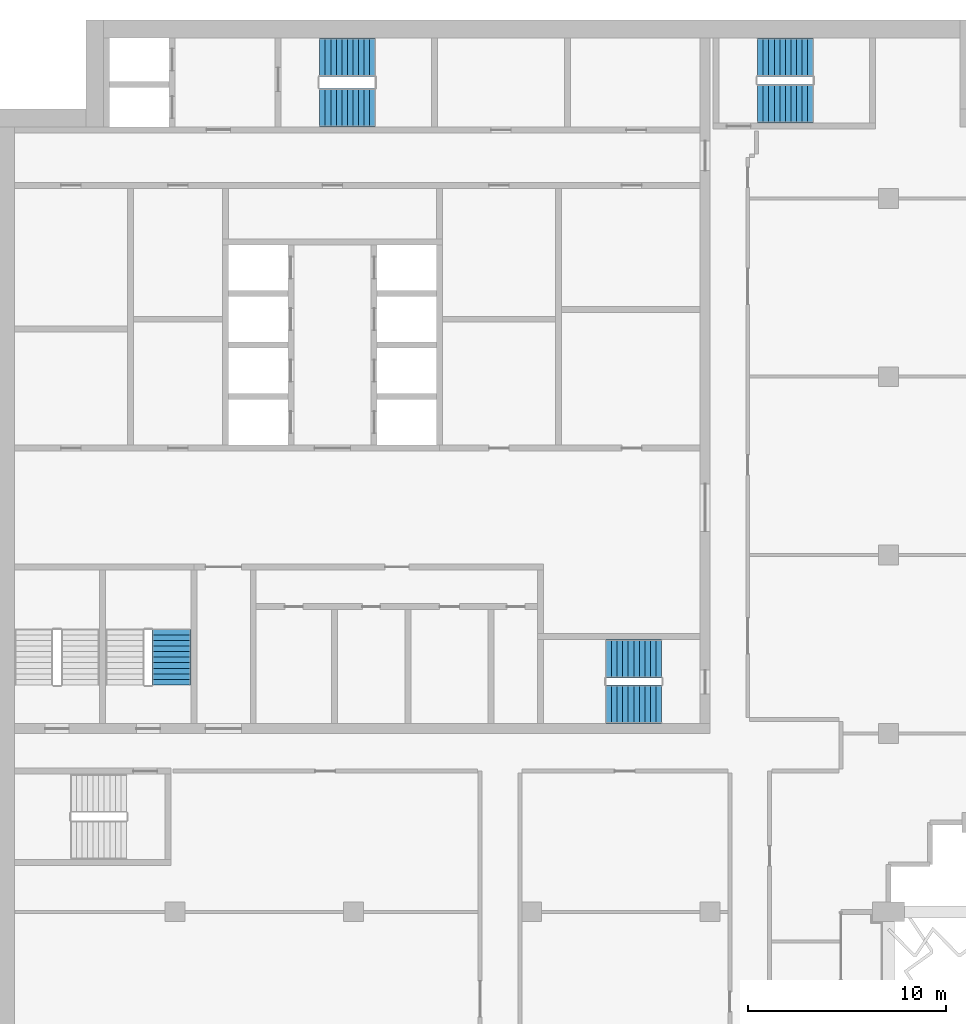
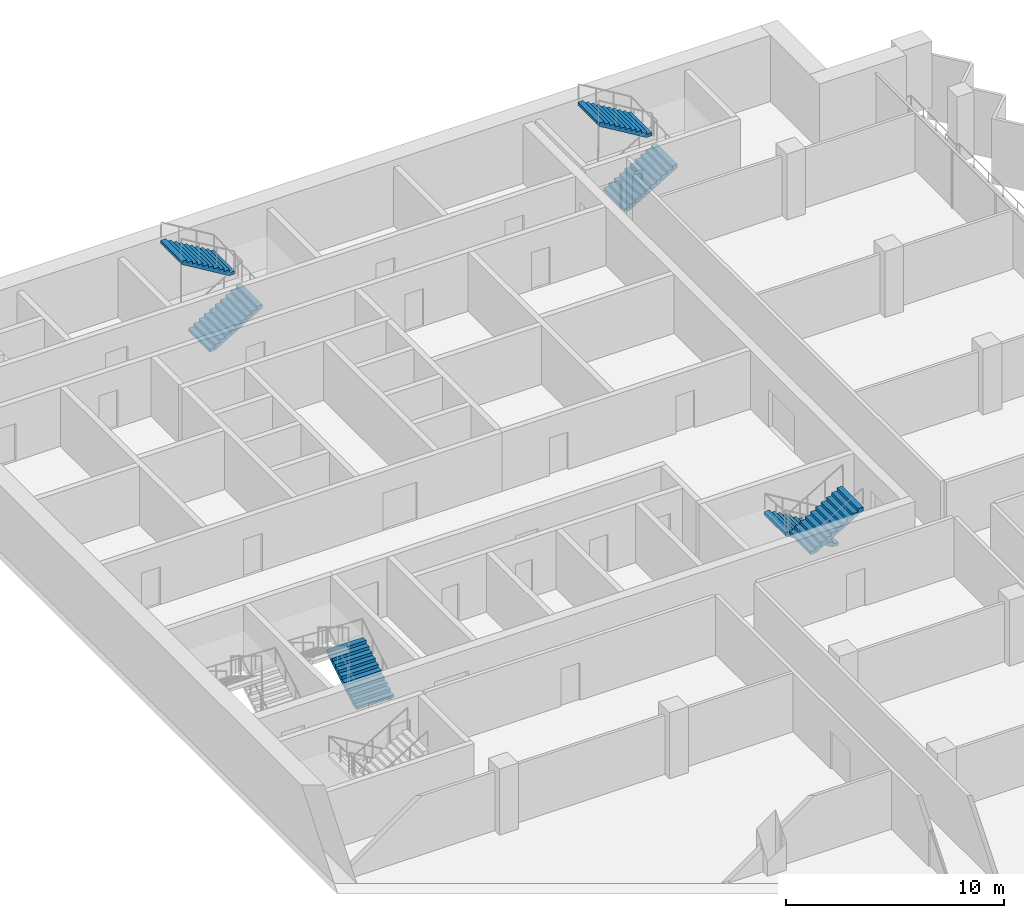
# One storey, part 12 of 16: 7 stair flights, 4 elements without a shape of their own.
"""IFC4 building model written with IfcOpenShell, lengths in metres."""

from ifc_helpers import new_model, si_unit, direction, frame, origin, place, context, subcontext, project, spatial, polyline, outline, extrude, material, type_object, element, aggregate, save


model = new_model("IFC4")

# Units and contexts
model_context = context("Model", 3, precision=1e-05, world=origin(), true_north=direction((0.0, 1.0)))
body_context = subcontext(model_context, "Body", "Model", "MODEL_VIEW")
ifc_project = project(units=[si_unit("LENGTHUNIT", "METRE"), si_unit("AREAUNIT", "SQUARE_METRE"), si_unit("VOLUMEUNIT", "CUBIC_METRE"), si_unit("PLANEANGLEUNIT", "RADIAN"), si_unit("MASSUNIT", "GRAM", prefix="KILO")], contexts=[model_context])

# Site, building, storey
site_placement = place(None, origin())
site = spatial("IfcSite", under=ifc_project, at=site_placement, CompositionType="ELEMENT")
building_placement = place(site_placement, origin())
building = spatial("IfcBuilding", under=site, at=building_placement, Name="Hunhe Ridgeline Campus", CompositionType="ELEMENT")
storey_placement = place(building_placement, frame((0.0, 0.0, 235.5)))
storey = spatial("IfcBuildingStorey", under=building, at=storey_placement, Name="L60", CompositionType="ELEMENT", Elevation=235.5)

# Stair, stair flights
ifc_material = material(Name="Concrete C40", Category="concrete")
stair_type = type_object("IfcStairType", Name="Reinforced concrete dog-leg stair 1950 Concrete C40", PredefinedType="HALF_TURN_STAIR", material=ifc_material)
stair_1_placement = place(storey_placement, origin())
stair_1 = element("IfcStair", 1, at=stair_1_placement, inside=storey, type_object=stair_type, Name="L60 S1", PredefinedType="HALF_TURN_STAIR")
stair_flight_type = type_object("IfcStairFlightType", Name="Reinforced concrete stair flight 1950 Concrete C40", PredefinedType="STRAIGHT", material=ifc_material)
stair_flight_1_placement = place(storey_placement, frame((16.300048828125, 94.574951171875, 0.0), z_axis=(0.0, 0.0, 1.0), x_axis=(1.0, 0.0, 0.0)))
stair_flight_1 = element("IfcStairFlight", 2, at=stair_flight_1_placement, type_object=stair_flight_type, Name="ST1 flight 1", NumberOfRisers=11, NumberOfTreads=10, PredefinedType="STRAIGHT", RiserHeight=0.168181818, TreadLength=0.28, context=body_context, shape_type="SweptSolid", body=[
    extrude(outline(polyline([(0.0, 0.0), (0.0, 0.168212890625), (0.280029296875, 0.168212890625), (0.280029296875, 0.33642578125), (0.56005859375, 0.33642578125), (0.56005859375, 0.504638671875), (0.840087890625, 0.504638671875), (0.840087890625, 0.672607421875), (1.1201171875, 0.672607421875), (1.1201171875, 0.8408203125), (1.39990234375, 0.8408203125), (1.39990234375, 1.009033203125), (1.679931640625, 1.009033203125), (1.679931640625, 1.17724609375), (1.9599609375, 1.17724609375), (1.9599609375, 1.345458984375), (2.239990234375, 1.345458984375), (2.239990234375, 1.513671875), (2.52001953125, 1.513671875), (2.52001953125, 1.681884765625), (2.800048828125, 1.681884765625), (2.800048828125, 1.85009765625), (2.800048828125, 1.5068359375), (0.291015625, 0.0), (0.0, 0.0)])), frame((0.0, 0.97509765625, 0.0), z_axis=(0.0, -1.0, 0.0), x_axis=(1.0, 0.0, 0.0)), (0.0, 0.0, 1.0), 1.949951171875),
    extrude(outline(polyline([(0.030029296875, 0.030029296875), (0.030029296875, 0.13818359375), (0.31005859375, 0.13818359375), (0.31005859375, 0.306396484375), (0.590087890625, 0.306396484375), (0.590087890625, 0.474609375), (0.8701171875, 0.474609375), (0.8701171875, 0.642578125), (1.14990234375, 0.642578125), (1.14990234375, 0.810791015625), (1.429931640625, 0.810791015625), (1.429931640625, 0.97900390625), (1.7099609375, 0.97900390625), (1.7099609375, 1.147216796875), (1.989990234375, 1.147216796875), (1.989990234375, 1.3154296875), (2.27001953125, 1.3154296875), (2.27001953125, 1.483642578125), (2.550048828125, 1.483642578125), (2.550048828125, 1.65185546875), (2.77001953125, 1.65185546875), (2.77001953125, 1.52392578125), (0.28271484375, 0.030029296875), (0.030029296875, 0.030029296875)])), frame((0.0, -0.070068359375, 0.0), z_axis=(0.0, -1.0, 0.0), x_axis=(1.0, 0.0, 0.0)), (0.0, 0.0, 1.0), 0.019775390625),
    extrude(outline(polyline([(0.030029296875, 0.030029296875), (0.030029296875, 0.13818359375), (0.31005859375, 0.13818359375), (0.31005859375, 0.306396484375), (0.590087890625, 0.306396484375), (0.590087890625, 0.474609375), (0.8701171875, 0.474609375), (0.8701171875, 0.642578125), (1.14990234375, 0.642578125), (1.14990234375, 0.810791015625), (1.429931640625, 0.810791015625), (1.429931640625, 0.97900390625), (1.7099609375, 0.97900390625), (1.7099609375, 1.147216796875), (1.989990234375, 1.147216796875), (1.989990234375, 1.3154296875), (2.27001953125, 1.3154296875), (2.27001953125, 1.483642578125), (2.550048828125, 1.483642578125), (2.550048828125, 1.65185546875), (2.77001953125, 1.65185546875), (2.77001953125, 1.52392578125), (0.28271484375, 0.030029296875), (0.030029296875, 0.030029296875)])), frame((0.0, 0.010009765625, 0.0), z_axis=(0.0, -1.0, 0.0), x_axis=(1.0, 0.0, 0.0)), (0.0, 0.0, 1.0), 0.019775390625),
    extrude(outline(polyline([(0.030029296875, 0.030029296875), (0.030029296875, 0.13818359375), (0.31005859375, 0.13818359375), (0.31005859375, 0.306396484375), (0.590087890625, 0.306396484375), (0.590087890625, 0.474609375), (0.8701171875, 0.474609375), (0.8701171875, 0.642578125), (1.14990234375, 0.642578125), (1.14990234375, 0.810791015625), (1.429931640625, 0.810791015625), (1.429931640625, 0.97900390625), (1.7099609375, 0.97900390625), (1.7099609375, 1.147216796875), (1.989990234375, 1.147216796875), (1.989990234375, 1.3154296875), (2.27001953125, 1.3154296875), (2.27001953125, 1.483642578125), (2.550048828125, 1.483642578125), (2.550048828125, 1.65185546875), (2.77001953125, 1.65185546875), (2.77001953125, 1.52392578125), (0.28271484375, 0.030029296875), (0.030029296875, 0.030029296875)])), frame((0.0, 0.090087890625, 0.0), z_axis=(0.0, -1.0, 0.0), x_axis=(1.0, 0.0, 0.0)), (0.0, 0.0, 1.0), 0.019775390625),
])
stair_flight_2_placement = place(storey_placement, frame((19.10009765625, 97.125, 1.85009765625), z_axis=(0.0, 0.0, 1.0), x_axis=(-1.0, 0.0, 0.0)))
stair_flight_2 = element("IfcStairFlight", 3, at=stair_flight_2_placement, type_object=stair_flight_type, Name="ST1 flight 2", NumberOfRisers=11, NumberOfTreads=10, PredefinedType="STRAIGHT", RiserHeight=0.168181818, TreadLength=0.28, context=body_context, shape_type="SweptSolid", body=[
    extrude(outline(polyline([(0.0, 0.0), (0.0, 0.168212890625), (0.280029296875, 0.168212890625), (0.280029296875, 0.33642578125), (0.56005859375, 0.33642578125), (0.56005859375, 0.504638671875), (0.840087890625, 0.504638671875), (0.840087890625, 0.672607421875), (1.1201171875, 0.672607421875), (1.1201171875, 0.8408203125), (1.39990234375, 0.8408203125), (1.39990234375, 1.009033203125), (1.679931640625, 1.009033203125), (1.679931640625, 1.17724609375), (1.9599609375, 1.17724609375), (1.9599609375, 1.345458984375), (2.239990234375, 1.345458984375), (2.239990234375, 1.513671875), (2.52001953125, 1.513671875), (2.52001953125, 1.681884765625), (2.800048828125, 1.681884765625), (2.800048828125, 1.85009765625), (2.800048828125, 1.5068359375), (0.291015625, 0.0), (0.0, 0.0)])), frame((0.0, 0.97509765625, 0.0), z_axis=(0.0, -1.0, 0.0), x_axis=(1.0, 0.0, 0.0)), (0.0, 0.0, 1.0), 1.949951171875),
    extrude(outline(polyline([(0.030029296875, 0.030029296875), (0.030029296875, 0.13818359375), (0.31005859375, 0.13818359375), (0.31005859375, 0.306396484375), (0.590087890625, 0.306396484375), (0.590087890625, 0.474609375), (0.8701171875, 0.474609375), (0.8701171875, 0.642578125), (1.14990234375, 0.642578125), (1.14990234375, 0.810791015625), (1.429931640625, 0.810791015625), (1.429931640625, 0.97900390625), (1.7099609375, 0.97900390625), (1.7099609375, 1.147216796875), (1.989990234375, 1.147216796875), (1.989990234375, 1.3154296875), (2.27001953125, 1.3154296875), (2.27001953125, 1.483642578125), (2.550048828125, 1.483642578125), (2.550048828125, 1.65185546875), (2.77001953125, 1.65185546875), (2.77001953125, 1.52392578125), (0.28271484375, 0.030029296875), (0.030029296875, 0.030029296875)])), frame((0.0, -0.070068359375, 0.0), z_axis=(0.0, -1.0, 0.0), x_axis=(1.0, 0.0, 0.0)), (0.0, 0.0, 1.0), 0.019775390625),
    extrude(outline(polyline([(0.030029296875, 0.030029296875), (0.030029296875, 0.13818359375), (0.31005859375, 0.13818359375), (0.31005859375, 0.306396484375), (0.590087890625, 0.306396484375), (0.590087890625, 0.474609375), (0.8701171875, 0.474609375), (0.8701171875, 0.642578125), (1.14990234375, 0.642578125), (1.14990234375, 0.810791015625), (1.429931640625, 0.810791015625), (1.429931640625, 0.97900390625), (1.7099609375, 0.97900390625), (1.7099609375, 1.147216796875), (1.989990234375, 1.147216796875), (1.989990234375, 1.3154296875), (2.27001953125, 1.3154296875), (2.27001953125, 1.483642578125), (2.550048828125, 1.483642578125), (2.550048828125, 1.65185546875), (2.77001953125, 1.65185546875), (2.77001953125, 1.52392578125), (0.28271484375, 0.030029296875), (0.030029296875, 0.030029296875)])), frame((0.0, 0.010009765625, 0.0), z_axis=(0.0, -1.0, 0.0), x_axis=(1.0, 0.0, 0.0)), (0.0, 0.0, 1.0), 0.019775390625),
    extrude(outline(polyline([(0.030029296875, 0.030029296875), (0.030029296875, 0.13818359375), (0.31005859375, 0.13818359375), (0.31005859375, 0.306396484375), (0.590087890625, 0.306396484375), (0.590087890625, 0.474609375), (0.8701171875, 0.474609375), (0.8701171875, 0.642578125), (1.14990234375, 0.642578125), (1.14990234375, 0.810791015625), (1.429931640625, 0.810791015625), (1.429931640625, 0.97900390625), (1.7099609375, 0.97900390625), (1.7099609375, 1.147216796875), (1.989990234375, 1.147216796875), (1.989990234375, 1.3154296875), (2.27001953125, 1.3154296875), (2.27001953125, 1.483642578125), (2.550048828125, 1.483642578125), (2.550048828125, 1.65185546875), (2.77001953125, 1.65185546875), (2.77001953125, 1.52392578125), (0.28271484375, 0.030029296875), (0.030029296875, 0.030029296875)])), frame((0.0, 0.090087890625, 0.0), z_axis=(0.0, -1.0, 0.0), x_axis=(1.0, 0.0, 0.0)), (0.0, 0.0, 1.0), 0.019775390625),
])
aggregate(stair_1, [stair_flight_1, stair_flight_2])

stair_2_placement = place(storey_placement, origin())
stair_2 = element("IfcStair", 4, at=stair_2_placement, inside=storey, type_object=stair_type, Name="L60 S2", PredefinedType="HALF_TURN_STAIR")
stair_flight_3_placement = place(storey_placement, frame((33.550048828125, 66.77490234375, 0.0), z_axis=(0.0, 0.0, 1.0), x_axis=(-1.0, 0.0, 0.0)))
stair_flight_3 = element("IfcStairFlight", 5, at=stair_flight_3_placement, type_object=stair_flight_type, Name="ST2 flight 1", NumberOfRisers=11, NumberOfTreads=10, PredefinedType="STRAIGHT", RiserHeight=0.168181818, TreadLength=0.28, context=body_context, shape_type="SweptSolid", body=[
    extrude(outline(polyline([(0.0, 0.0), (0.0, 0.168212890625), (0.280029296875, 0.168212890625), (0.280029296875, 0.33642578125), (0.56005859375, 0.33642578125), (0.56005859375, 0.504638671875), (0.840087890625, 0.504638671875), (0.840087890625, 0.672607421875), (1.1201171875, 0.672607421875), (1.1201171875, 0.8408203125), (1.39990234375, 0.8408203125), (1.39990234375, 1.009033203125), (1.679931640625, 1.009033203125), (1.679931640625, 1.17724609375), (1.9599609375, 1.17724609375), (1.9599609375, 1.345458984375), (2.239990234375, 1.345458984375), (2.239990234375, 1.513671875), (2.52001953125, 1.513671875), (2.52001953125, 1.681884765625), (2.800048828125, 1.681884765625), (2.800048828125, 1.85009765625), (2.800048828125, 1.5068359375), (0.291015625, 0.0), (0.0, 0.0)])), frame((0.0, 0.97509765625, 0.0), z_axis=(0.0, -1.0, 0.0), x_axis=(1.0, 0.0, 0.0)), (0.0, 0.0, 1.0), 1.949951171875),
    extrude(outline(polyline([(0.030029296875, 0.030029296875), (0.030029296875, 0.13818359375), (0.31005859375, 0.13818359375), (0.31005859375, 0.306396484375), (0.590087890625, 0.306396484375), (0.590087890625, 0.474609375), (0.8701171875, 0.474609375), (0.8701171875, 0.642578125), (1.14990234375, 0.642578125), (1.14990234375, 0.810791015625), (1.429931640625, 0.810791015625), (1.429931640625, 0.97900390625), (1.7099609375, 0.97900390625), (1.7099609375, 1.147216796875), (1.989990234375, 1.147216796875), (1.989990234375, 1.3154296875), (2.27001953125, 1.3154296875), (2.27001953125, 1.483642578125), (2.550048828125, 1.483642578125), (2.550048828125, 1.65185546875), (2.77001953125, 1.65185546875), (2.77001953125, 1.52392578125), (0.28271484375, 0.030029296875), (0.030029296875, 0.030029296875)])), frame((0.0, -0.070068359375, 0.0), z_axis=(0.0, -1.0, 0.0), x_axis=(1.0, 0.0, 0.0)), (0.0, 0.0, 1.0), 0.019775390625),
    extrude(outline(polyline([(0.030029296875, 0.030029296875), (0.030029296875, 0.13818359375), (0.31005859375, 0.13818359375), (0.31005859375, 0.306396484375), (0.590087890625, 0.306396484375), (0.590087890625, 0.474609375), (0.8701171875, 0.474609375), (0.8701171875, 0.642578125), (1.14990234375, 0.642578125), (1.14990234375, 0.810791015625), (1.429931640625, 0.810791015625), (1.429931640625, 0.97900390625), (1.7099609375, 0.97900390625), (1.7099609375, 1.147216796875), (1.989990234375, 1.147216796875), (1.989990234375, 1.3154296875), (2.27001953125, 1.3154296875), (2.27001953125, 1.483642578125), (2.550048828125, 1.483642578125), (2.550048828125, 1.65185546875), (2.77001953125, 1.65185546875), (2.77001953125, 1.52392578125), (0.28271484375, 0.030029296875), (0.030029296875, 0.030029296875)])), frame((0.0, 0.010009765625, 0.0), z_axis=(0.0, -1.0, 0.0), x_axis=(1.0, 0.0, 0.0)), (0.0, 0.0, 1.0), 0.019775390625),
    extrude(outline(polyline([(0.030029296875, 0.030029296875), (0.030029296875, 0.13818359375), (0.31005859375, 0.13818359375), (0.31005859375, 0.306396484375), (0.590087890625, 0.306396484375), (0.590087890625, 0.474609375), (0.8701171875, 0.474609375), (0.8701171875, 0.642578125), (1.14990234375, 0.642578125), (1.14990234375, 0.810791015625), (1.429931640625, 0.810791015625), (1.429931640625, 0.97900390625), (1.7099609375, 0.97900390625), (1.7099609375, 1.147216796875), (1.989990234375, 1.147216796875), (1.989990234375, 1.3154296875), (2.27001953125, 1.3154296875), (2.27001953125, 1.483642578125), (2.550048828125, 1.483642578125), (2.550048828125, 1.65185546875), (2.77001953125, 1.65185546875), (2.77001953125, 1.52392578125), (0.28271484375, 0.030029296875), (0.030029296875, 0.030029296875)])), frame((0.0, 0.090087890625, 0.0), z_axis=(0.0, -1.0, 0.0), x_axis=(1.0, 0.0, 0.0)), (0.0, 0.0, 1.0), 0.019775390625),
])
stair_flight_4_placement = place(storey_placement, frame((30.75, 64.47509765625, 1.85009765625), z_axis=(0.0, 0.0, 1.0), x_axis=(1.0, 0.0, 0.0)))
stair_flight_4 = element("IfcStairFlight", 6, at=stair_flight_4_placement, type_object=stair_flight_type, Name="ST2 flight 2", NumberOfRisers=11, NumberOfTreads=10, PredefinedType="STRAIGHT", RiserHeight=0.168181818, TreadLength=0.28, context=body_context, shape_type="SweptSolid", body=[
    extrude(outline(polyline([(0.0, 0.0), (0.0, 0.168212890625), (0.280029296875, 0.168212890625), (0.280029296875, 0.33642578125), (0.56005859375, 0.33642578125), (0.56005859375, 0.504638671875), (0.840087890625, 0.504638671875), (0.840087890625, 0.672607421875), (1.1201171875, 0.672607421875), (1.1201171875, 0.8408203125), (1.39990234375, 0.8408203125), (1.39990234375, 1.009033203125), (1.679931640625, 1.009033203125), (1.679931640625, 1.17724609375), (1.9599609375, 1.17724609375), (1.9599609375, 1.345458984375), (2.239990234375, 1.345458984375), (2.239990234375, 1.513671875), (2.52001953125, 1.513671875), (2.52001953125, 1.681884765625), (2.800048828125, 1.681884765625), (2.800048828125, 1.85009765625), (2.800048828125, 1.5068359375), (0.291015625, 0.0), (0.0, 0.0)])), frame((0.0, 0.97509765625, 0.0), z_axis=(0.0, -1.0, 0.0), x_axis=(1.0, 0.0, 0.0)), (0.0, 0.0, 1.0), 1.949951171875),
    extrude(outline(polyline([(0.030029296875, 0.030029296875), (0.030029296875, 0.13818359375), (0.31005859375, 0.13818359375), (0.31005859375, 0.306396484375), (0.590087890625, 0.306396484375), (0.590087890625, 0.474609375), (0.8701171875, 0.474609375), (0.8701171875, 0.642578125), (1.14990234375, 0.642578125), (1.14990234375, 0.810791015625), (1.429931640625, 0.810791015625), (1.429931640625, 0.97900390625), (1.7099609375, 0.97900390625), (1.7099609375, 1.147216796875), (1.989990234375, 1.147216796875), (1.989990234375, 1.3154296875), (2.27001953125, 1.3154296875), (2.27001953125, 1.483642578125), (2.550048828125, 1.483642578125), (2.550048828125, 1.65185546875), (2.77001953125, 1.65185546875), (2.77001953125, 1.52392578125), (0.28271484375, 0.030029296875), (0.030029296875, 0.030029296875)])), frame((0.0, -0.070068359375, 0.0), z_axis=(0.0, -1.0, 0.0), x_axis=(1.0, 0.0, 0.0)), (0.0, 0.0, 1.0), 0.019775390625),
    extrude(outline(polyline([(0.030029296875, 0.030029296875), (0.030029296875, 0.13818359375), (0.31005859375, 0.13818359375), (0.31005859375, 0.306396484375), (0.590087890625, 0.306396484375), (0.590087890625, 0.474609375), (0.8701171875, 0.474609375), (0.8701171875, 0.642578125), (1.14990234375, 0.642578125), (1.14990234375, 0.810791015625), (1.429931640625, 0.810791015625), (1.429931640625, 0.97900390625), (1.7099609375, 0.97900390625), (1.7099609375, 1.147216796875), (1.989990234375, 1.147216796875), (1.989990234375, 1.3154296875), (2.27001953125, 1.3154296875), (2.27001953125, 1.483642578125), (2.550048828125, 1.483642578125), (2.550048828125, 1.65185546875), (2.77001953125, 1.65185546875), (2.77001953125, 1.52392578125), (0.28271484375, 0.030029296875), (0.030029296875, 0.030029296875)])), frame((0.0, 0.010009765625, 0.0), z_axis=(0.0, -1.0, 0.0), x_axis=(1.0, 0.0, 0.0)), (0.0, 0.0, 1.0), 0.019775390625),
    extrude(outline(polyline([(0.030029296875, 0.030029296875), (0.030029296875, 0.13818359375), (0.31005859375, 0.13818359375), (0.31005859375, 0.306396484375), (0.590087890625, 0.306396484375), (0.590087890625, 0.474609375), (0.8701171875, 0.474609375), (0.8701171875, 0.642578125), (1.14990234375, 0.642578125), (1.14990234375, 0.810791015625), (1.429931640625, 0.810791015625), (1.429931640625, 0.97900390625), (1.7099609375, 0.97900390625), (1.7099609375, 1.147216796875), (1.989990234375, 1.147216796875), (1.989990234375, 1.3154296875), (2.27001953125, 1.3154296875), (2.27001953125, 1.483642578125), (2.550048828125, 1.483642578125), (2.550048828125, 1.65185546875), (2.77001953125, 1.65185546875), (2.77001953125, 1.52392578125), (0.28271484375, 0.030029296875), (0.030029296875, 0.030029296875)])), frame((0.0, 0.090087890625, 0.0), z_axis=(0.0, -1.0, 0.0), x_axis=(1.0, 0.0, 0.0)), (0.0, 0.0, 1.0), 0.019775390625),
])
aggregate(stair_2, [stair_flight_3, stair_flight_4])

# Stair, stair flight
stair_3_placement = place(storey_placement, origin())
stair_3 = element("IfcStair", 7, at=stair_3_placement, inside=storey, type_object=stair_type, Name="L60 S4", PredefinedType="HALF_TURN_STAIR")
stair_flight_5_placement = place(storey_placement, frame((8.824951171875, 65.449951171875, 0.0), z_axis=(0.0, 0.0, 1.0), x_axis=(0.0, 1.0, 0.0)))
stair_flight_5 = element("IfcStairFlight", 8, at=stair_flight_5_placement, type_object=stair_flight_type, Name="ST4 flight 1", NumberOfRisers=11, NumberOfTreads=10, PredefinedType="STRAIGHT", RiserHeight=0.168181818, TreadLength=0.28, context=body_context, shape_type="SweptSolid", body=[
    extrude(outline(polyline([(0.0, 0.0), (0.0, 0.168212890625), (0.280029296875, 0.168212890625), (0.280029296875, 0.33642578125), (0.56005859375, 0.33642578125), (0.56005859375, 0.504638671875), (0.840087890625, 0.504638671875), (0.840087890625, 0.672607421875), (1.1201171875, 0.672607421875), (1.1201171875, 0.8408203125), (1.39990234375, 0.8408203125), (1.39990234375, 1.009033203125), (1.679931640625, 1.009033203125), (1.679931640625, 1.17724609375), (1.9599609375, 1.17724609375), (1.9599609375, 1.345458984375), (2.239990234375, 1.345458984375), (2.239990234375, 1.513671875), (2.52001953125, 1.513671875), (2.52001953125, 1.681884765625), (2.800048828125, 1.681884765625), (2.800048828125, 1.85009765625), (2.800048828125, 1.5068359375), (0.291015625, 0.0), (0.0, 0.0)])), frame((0.0, 0.97509765625, 0.0), z_axis=(0.0, -1.0, 0.0), x_axis=(1.0, 0.0, 0.0)), (0.0, 0.0, 1.0), 1.949951171875),
    extrude(outline(polyline([(0.030029296875, 0.030029296875), (0.030029296875, 0.13818359375), (0.31005859375, 0.13818359375), (0.31005859375, 0.306396484375), (0.590087890625, 0.306396484375), (0.590087890625, 0.474609375), (0.8701171875, 0.474609375), (0.8701171875, 0.642578125), (1.14990234375, 0.642578125), (1.14990234375, 0.810791015625), (1.429931640625, 0.810791015625), (1.429931640625, 0.97900390625), (1.7099609375, 0.97900390625), (1.7099609375, 1.147216796875), (1.989990234375, 1.147216796875), (1.989990234375, 1.3154296875), (2.27001953125, 1.3154296875), (2.27001953125, 1.483642578125), (2.550048828125, 1.483642578125), (2.550048828125, 1.65185546875), (2.77001953125, 1.65185546875), (2.77001953125, 1.52392578125), (0.28271484375, 0.030029296875), (0.030029296875, 0.030029296875)])), frame((0.0, -0.070068359375, 0.0), z_axis=(0.0, -1.0, 0.0), x_axis=(1.0, 0.0, 0.0)), (0.0, 0.0, 1.0), 0.019775390625),
    extrude(outline(polyline([(0.030029296875, 0.030029296875), (0.030029296875, 0.13818359375), (0.31005859375, 0.13818359375), (0.31005859375, 0.306396484375), (0.590087890625, 0.306396484375), (0.590087890625, 0.474609375), (0.8701171875, 0.474609375), (0.8701171875, 0.642578125), (1.14990234375, 0.642578125), (1.14990234375, 0.810791015625), (1.429931640625, 0.810791015625), (1.429931640625, 0.97900390625), (1.7099609375, 0.97900390625), (1.7099609375, 1.147216796875), (1.989990234375, 1.147216796875), (1.989990234375, 1.3154296875), (2.27001953125, 1.3154296875), (2.27001953125, 1.483642578125), (2.550048828125, 1.483642578125), (2.550048828125, 1.65185546875), (2.77001953125, 1.65185546875), (2.77001953125, 1.52392578125), (0.28271484375, 0.030029296875), (0.030029296875, 0.030029296875)])), frame((0.0, 0.010009765625, 0.0), z_axis=(0.0, -1.0, 0.0), x_axis=(1.0, 0.0, 0.0)), (0.0, 0.0, 1.0), 0.019775390625),
    extrude(outline(polyline([(0.030029296875, 0.030029296875), (0.030029296875, 0.13818359375), (0.31005859375, 0.13818359375), (0.31005859375, 0.306396484375), (0.590087890625, 0.306396484375), (0.590087890625, 0.474609375), (0.8701171875, 0.474609375), (0.8701171875, 0.642578125), (1.14990234375, 0.642578125), (1.14990234375, 0.810791015625), (1.429931640625, 0.810791015625), (1.429931640625, 0.97900390625), (1.7099609375, 0.97900390625), (1.7099609375, 1.147216796875), (1.989990234375, 1.147216796875), (1.989990234375, 1.3154296875), (2.27001953125, 1.3154296875), (2.27001953125, 1.483642578125), (2.550048828125, 1.483642578125), (2.550048828125, 1.65185546875), (2.77001953125, 1.65185546875), (2.77001953125, 1.52392578125), (0.28271484375, 0.030029296875), (0.030029296875, 0.030029296875)])), frame((0.0, 0.090087890625, 0.0), z_axis=(0.0, -1.0, 0.0), x_axis=(1.0, 0.0, 0.0)), (0.0, 0.0, 1.0), 0.019775390625),
])
aggregate(stair_3, [stair_flight_5])

# Stair, stair flights
stair_4_placement = place(storey_placement, origin())
stair_4 = element("IfcStair", 9, at=stair_4_placement, inside=storey, type_object=stair_type, Name="L60 E1", PredefinedType="HALF_TURN_STAIR")
stair_flight_6_placement = place(storey_placement, frame((38.39990234375, 94.77490234375, 0.0), z_axis=(0.0, 0.0, 1.0), x_axis=(1.0, 0.0, 0.0)))
stair_flight_6 = element("IfcStairFlight", 10, at=stair_flight_6_placement, type_object=stair_flight_type, Name="ST5 flight 1", NumberOfRisers=11, NumberOfTreads=10, PredefinedType="STRAIGHT", RiserHeight=0.168181818, TreadLength=0.28, context=body_context, shape_type="SweptSolid", body=[
    extrude(outline(polyline([(0.0, 0.0), (0.0, 0.168212890625), (0.280029296875, 0.168212890625), (0.280029296875, 0.33642578125), (0.56005859375, 0.33642578125), (0.56005859375, 0.504638671875), (0.840087890625, 0.504638671875), (0.840087890625, 0.672607421875), (1.1201171875, 0.672607421875), (1.1201171875, 0.8408203125), (1.39990234375, 0.8408203125), (1.39990234375, 1.009033203125), (1.679931640625, 1.009033203125), (1.679931640625, 1.17724609375), (1.9599609375, 1.17724609375), (1.9599609375, 1.345458984375), (2.239990234375, 1.345458984375), (2.239990234375, 1.513671875), (2.52001953125, 1.513671875), (2.52001953125, 1.681884765625), (2.800048828125, 1.681884765625), (2.800048828125, 1.85009765625), (2.800048828125, 1.5068359375), (0.291015625, 0.0), (0.0, 0.0)])), frame((0.0, 0.97509765625, 0.0), z_axis=(0.0, -1.0, 0.0), x_axis=(1.0, 0.0, 0.0)), (0.0, 0.0, 1.0), 1.949951171875),
    extrude(outline(polyline([(0.030029296875, 0.030029296875), (0.030029296875, 0.13818359375), (0.31005859375, 0.13818359375), (0.31005859375, 0.306396484375), (0.590087890625, 0.306396484375), (0.590087890625, 0.474609375), (0.8701171875, 0.474609375), (0.8701171875, 0.642578125), (1.14990234375, 0.642578125), (1.14990234375, 0.810791015625), (1.429931640625, 0.810791015625), (1.429931640625, 0.97900390625), (1.7099609375, 0.97900390625), (1.7099609375, 1.147216796875), (1.989990234375, 1.147216796875), (1.989990234375, 1.3154296875), (2.27001953125, 1.3154296875), (2.27001953125, 1.483642578125), (2.550048828125, 1.483642578125), (2.550048828125, 1.65185546875), (2.77001953125, 1.65185546875), (2.77001953125, 1.52392578125), (0.28271484375, 0.030029296875), (0.030029296875, 0.030029296875)])), frame((0.0, -0.070068359375, 0.0), z_axis=(0.0, -1.0, 0.0), x_axis=(1.0, 0.0, 0.0)), (0.0, 0.0, 1.0), 0.019775390625),
    extrude(outline(polyline([(0.030029296875, 0.030029296875), (0.030029296875, 0.13818359375), (0.31005859375, 0.13818359375), (0.31005859375, 0.306396484375), (0.590087890625, 0.306396484375), (0.590087890625, 0.474609375), (0.8701171875, 0.474609375), (0.8701171875, 0.642578125), (1.14990234375, 0.642578125), (1.14990234375, 0.810791015625), (1.429931640625, 0.810791015625), (1.429931640625, 0.97900390625), (1.7099609375, 0.97900390625), (1.7099609375, 1.147216796875), (1.989990234375, 1.147216796875), (1.989990234375, 1.3154296875), (2.27001953125, 1.3154296875), (2.27001953125, 1.483642578125), (2.550048828125, 1.483642578125), (2.550048828125, 1.65185546875), (2.77001953125, 1.65185546875), (2.77001953125, 1.52392578125), (0.28271484375, 0.030029296875), (0.030029296875, 0.030029296875)])), frame((0.0, 0.010009765625, 0.0), z_axis=(0.0, -1.0, 0.0), x_axis=(1.0, 0.0, 0.0)), (0.0, 0.0, 1.0), 0.019775390625),
    extrude(outline(polyline([(0.030029296875, 0.030029296875), (0.030029296875, 0.13818359375), (0.31005859375, 0.13818359375), (0.31005859375, 0.306396484375), (0.590087890625, 0.306396484375), (0.590087890625, 0.474609375), (0.8701171875, 0.474609375), (0.8701171875, 0.642578125), (1.14990234375, 0.642578125), (1.14990234375, 0.810791015625), (1.429931640625, 0.810791015625), (1.429931640625, 0.97900390625), (1.7099609375, 0.97900390625), (1.7099609375, 1.147216796875), (1.989990234375, 1.147216796875), (1.989990234375, 1.3154296875), (2.27001953125, 1.3154296875), (2.27001953125, 1.483642578125), (2.550048828125, 1.483642578125), (2.550048828125, 1.65185546875), (2.77001953125, 1.65185546875), (2.77001953125, 1.52392578125), (0.28271484375, 0.030029296875), (0.030029296875, 0.030029296875)])), frame((0.0, 0.090087890625, 0.0), z_axis=(0.0, -1.0, 0.0), x_axis=(1.0, 0.0, 0.0)), (0.0, 0.0, 1.0), 0.019775390625),
])
stair_flight_7_placement = place(storey_placement, frame((41.199951171875, 97.125, 1.85009765625), z_axis=(0.0, 0.0, 1.0), x_axis=(-1.0, 0.0, 0.0)))
stair_flight_7 = element("IfcStairFlight", 11, at=stair_flight_7_placement, type_object=stair_flight_type, Name="ST5 flight 2", NumberOfRisers=11, NumberOfTreads=10, PredefinedType="STRAIGHT", RiserHeight=0.168181818, TreadLength=0.28, context=body_context, shape_type="SweptSolid", body=[
    extrude(outline(polyline([(0.0, 0.0), (0.0, 0.168212890625), (0.280029296875, 0.168212890625), (0.280029296875, 0.33642578125), (0.56005859375, 0.33642578125), (0.56005859375, 0.504638671875), (0.840087890625, 0.504638671875), (0.840087890625, 0.672607421875), (1.1201171875, 0.672607421875), (1.1201171875, 0.8408203125), (1.39990234375, 0.8408203125), (1.39990234375, 1.009033203125), (1.679931640625, 1.009033203125), (1.679931640625, 1.17724609375), (1.9599609375, 1.17724609375), (1.9599609375, 1.345458984375), (2.239990234375, 1.345458984375), (2.239990234375, 1.513671875), (2.52001953125, 1.513671875), (2.52001953125, 1.681884765625), (2.800048828125, 1.681884765625), (2.800048828125, 1.85009765625), (2.800048828125, 1.5068359375), (0.291015625, 0.0), (0.0, 0.0)])), frame((0.0, 0.97509765625, 0.0), z_axis=(0.0, -1.0, 0.0), x_axis=(1.0, 0.0, 0.0)), (0.0, 0.0, 1.0), 1.949951171875),
    extrude(outline(polyline([(0.030029296875, 0.030029296875), (0.030029296875, 0.13818359375), (0.31005859375, 0.13818359375), (0.31005859375, 0.306396484375), (0.590087890625, 0.306396484375), (0.590087890625, 0.474609375), (0.8701171875, 0.474609375), (0.8701171875, 0.642578125), (1.14990234375, 0.642578125), (1.14990234375, 0.810791015625), (1.429931640625, 0.810791015625), (1.429931640625, 0.97900390625), (1.7099609375, 0.97900390625), (1.7099609375, 1.147216796875), (1.989990234375, 1.147216796875), (1.989990234375, 1.3154296875), (2.27001953125, 1.3154296875), (2.27001953125, 1.483642578125), (2.550048828125, 1.483642578125), (2.550048828125, 1.65185546875), (2.77001953125, 1.65185546875), (2.77001953125, 1.52392578125), (0.28271484375, 0.030029296875), (0.030029296875, 0.030029296875)])), frame((0.0, -0.070068359375, 0.0), z_axis=(0.0, -1.0, 0.0), x_axis=(1.0, 0.0, 0.0)), (0.0, 0.0, 1.0), 0.019775390625),
    extrude(outline(polyline([(0.030029296875, 0.030029296875), (0.030029296875, 0.13818359375), (0.31005859375, 0.13818359375), (0.31005859375, 0.306396484375), (0.590087890625, 0.306396484375), (0.590087890625, 0.474609375), (0.8701171875, 0.474609375), (0.8701171875, 0.642578125), (1.14990234375, 0.642578125), (1.14990234375, 0.810791015625), (1.429931640625, 0.810791015625), (1.429931640625, 0.97900390625), (1.7099609375, 0.97900390625), (1.7099609375, 1.147216796875), (1.989990234375, 1.147216796875), (1.989990234375, 1.3154296875), (2.27001953125, 1.3154296875), (2.27001953125, 1.483642578125), (2.550048828125, 1.483642578125), (2.550048828125, 1.65185546875), (2.77001953125, 1.65185546875), (2.77001953125, 1.52392578125), (0.28271484375, 0.030029296875), (0.030029296875, 0.030029296875)])), frame((0.0, 0.010009765625, 0.0), z_axis=(0.0, -1.0, 0.0), x_axis=(1.0, 0.0, 0.0)), (0.0, 0.0, 1.0), 0.019775390625),
    extrude(outline(polyline([(0.030029296875, 0.030029296875), (0.030029296875, 0.13818359375), (0.31005859375, 0.13818359375), (0.31005859375, 0.306396484375), (0.590087890625, 0.306396484375), (0.590087890625, 0.474609375), (0.8701171875, 0.474609375), (0.8701171875, 0.642578125), (1.14990234375, 0.642578125), (1.14990234375, 0.810791015625), (1.429931640625, 0.810791015625), (1.429931640625, 0.97900390625), (1.7099609375, 0.97900390625), (1.7099609375, 1.147216796875), (1.989990234375, 1.147216796875), (1.989990234375, 1.3154296875), (2.27001953125, 1.3154296875), (2.27001953125, 1.483642578125), (2.550048828125, 1.483642578125), (2.550048828125, 1.65185546875), (2.77001953125, 1.65185546875), (2.77001953125, 1.52392578125), (0.28271484375, 0.030029296875), (0.030029296875, 0.030029296875)])), frame((0.0, 0.090087890625, 0.0), z_axis=(0.0, -1.0, 0.0), x_axis=(1.0, 0.0, 0.0)), (0.0, 0.0, 1.0), 0.019775390625),
])
aggregate(stair_4, [stair_flight_6, stair_flight_7])

save(model, "model.ifc")
